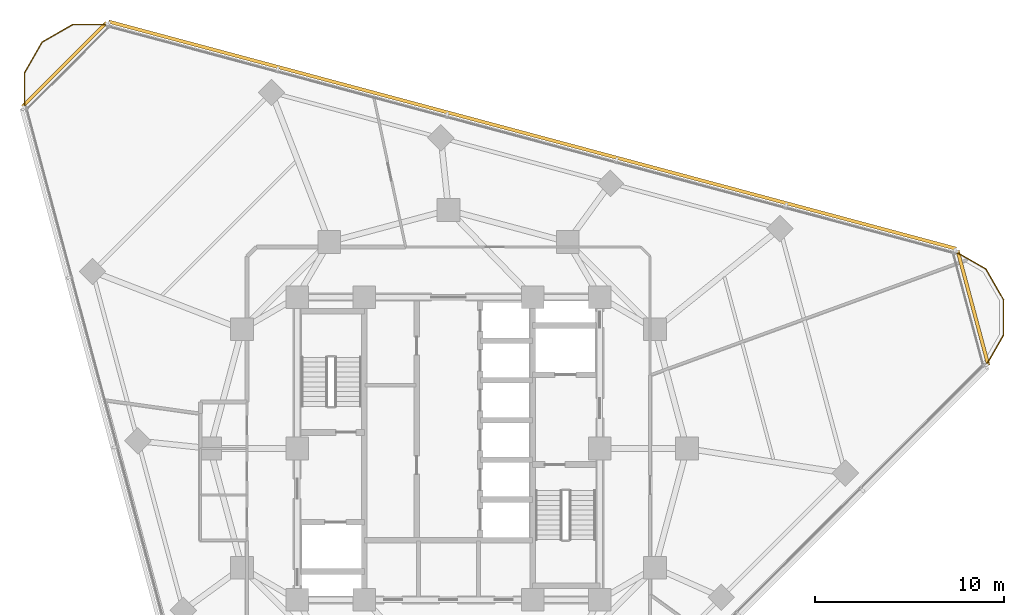
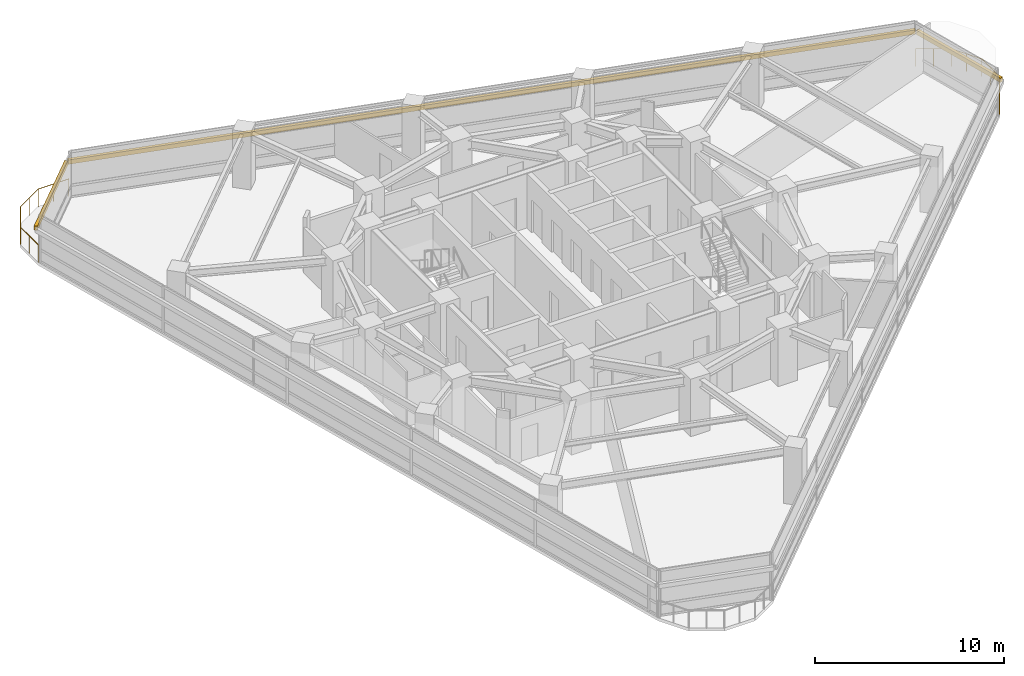
# One storey, part 13 of 13: 3 shading devices, 2 railings.
"""IFC4 building model written with IfcOpenShell, lengths in metres."""

from ifc_helpers import new_model, si_unit, direction, frame, origin, origin_2d, place, context, subcontext, project, spatial, rectangle, circle, extrude, material, layer, layer_set, type_object, element, save


model = new_model("IFC4")

# Units and contexts
model_context = context("Model", 3, precision=1e-05, world=origin(), true_north=direction((0.0, 1.0)))
body_context = subcontext(model_context, "Body", "Model", "MODEL_VIEW")
ifc_project = project(units=[si_unit("LENGTHUNIT", "METRE"), si_unit("AREAUNIT", "SQUARE_METRE"), si_unit("VOLUMEUNIT", "CUBIC_METRE"), si_unit("PLANEANGLEUNIT", "RADIAN"), si_unit("MASSUNIT", "GRAM", prefix="KILO")], contexts=[model_context])

# Site, building, storey
site_placement = place(None, origin())
site = spatial("IfcSite", under=ifc_project, at=site_placement, CompositionType="ELEMENT")
building_placement = place(site_placement, origin())
building = spatial("IfcBuilding", under=site, at=building_placement, Name="Terralouvre Media Tower", CompositionType="ELEMENT")
storey_placement = place(building_placement, frame((0.0, 0.0, 202.699951171875)))
storey = spatial("IfcBuildingStorey", under=building, at=storey_placement, Name="L52", CompositionType="ELEMENT", Elevation=202.699951171875)

# Railings
ifc_material_1 = material(Name="Stainless steel 316 handrail and balustrade", Category="steel")
ifc_layer = layer(ifc_material_1, 0.06005859375, Name="Roof Edge Safety Guardrail GR-ROOF1")
ifc_layer_set = layer_set([ifc_layer], Name="Stainless steel 316 handrail and balustrade")
railing_type = type_object("IfcRailingType", Name="Roof Edge Safety Guardrail GR-ROOF1", PredefinedType="GUARDRAIL", material=ifc_layer_set)
railing_1_placement = place(storey_placement, frame((28.39892578125, 4.365478515625, 0.0)))
element("IfcRailing", 1, at=railing_1_placement, inside=storey, type_object=railing_type, Name="L52 Wind-Corner Perimeter Safety Guardrail C1", PredefinedType="GUARDRAIL", context=body_context, shape_type="SweptSolid", body=[
    extrude(circle(Radius=0.02099609375, at=origin_2d()), frame((0.0, 0.0, 1.12890625), z_axis=(0.500203770141, 0.86590772507, 0.0), x_axis=(-0.86590772507, 0.500203770141, 0.0)), (0.0, 0.0, 1.0), 1.873291015625),
    extrude(circle(Radius=0.02099609375, at=origin_2d()), frame((0.93701171875, 1.6220703125, 1.12890625), z_axis=(0.000130344107, 0.999999991505, 0.0), x_axis=(-0.999999991505, 0.000130344107, 0.0)), (0.0, 0.0, 1.0), 1.873046875),
    extrude(circle(Radius=0.02099609375, at=origin_2d()), frame((0.937255859375, 3.4951171875, 1.12890625), z_axis=(-0.500162491388, 0.86593156901, 0.0), x_axis=(-0.86593156901, -0.500162491388, 0.0)), (0.0, 0.0, 1.0), 1.873046875),
    extrude(circle(Radius=0.02099609375, at=origin_2d()), frame((0.00048828125, 5.116943359375, 1.12890625), z_axis=(-0.866142189219, 0.499797667116, 0.0), x_axis=(-0.499797667116, -0.866142189219, 0.0)), (0.0, 0.0, 1.0), 1.873291015625),
    extrude(circle(Radius=0.01904296875, at=origin_2d()), origin(), (0.0, 0.0, 1.0), 1.10791015625),
    extrude(circle(Radius=0.01904296875, at=origin_2d()), frame((0.468505859375, 0.81103515625, 0.0)), (0.0, 0.0, 1.0), 1.10791015625),
    extrude(circle(Radius=0.01904296875, at=origin_2d()), frame((0.93701171875, 1.6220703125, 0.0)), (0.0, 0.0, 1.0), 1.10791015625),
    extrude(circle(Radius=0.01904296875, at=origin_2d()), frame((0.93701171875, 2.55859375, 0.0)), (0.0, 0.0, 1.0), 1.10791015625),
    extrude(circle(Radius=0.01904296875, at=origin_2d()), frame((0.937255859375, 3.4951171875, 0.0)), (0.0, 0.0, 1.0), 1.10791015625),
    extrude(circle(Radius=0.01904296875, at=origin_2d()), frame((0.46875, 4.30615234375, 0.0)), (0.0, 0.0, 1.0), 1.10791015625),
    extrude(circle(Radius=0.01904296875, at=origin_2d()), frame((0.00048828125, 5.116943359375, 0.0)), (0.0, 0.0, 1.0), 1.10791015625),
    extrude(circle(Radius=0.01904296875, at=origin_2d()), frame((-0.810791015625, 5.5849609375, 0.0)), (0.0, 0.0, 1.0), 1.10791015625),
    extrude(circle(Radius=0.01904296875, at=origin_2d()), frame((-1.6220703125, 6.05322265625, 0.0)), (0.0, 0.0, 1.0), 1.10791015625),
])
railing_2_placement = place(storey_placement, frame((-17.97998046875, 22.411376953125, 0.0)))
element("IfcRailing", 2, at=railing_2_placement, inside=storey, type_object=railing_type, Name="L52 Wind-Corner Perimeter Safety Guardrail C2", PredefinedType="GUARDRAIL", context=body_context, shape_type="SweptSolid", body=[
    extrude(circle(Radius=0.02099609375, at=origin_2d()), frame((0.0, 0.0, 1.12890625), z_axis=(-0.99999996603, 0.000260654233, 0.0), x_axis=(-0.000260654233, -0.99999996603, 0.0)), (0.0, 0.0, 1.0), 1.873291015625),
    extrude(circle(Radius=0.02099609375, at=origin_2d()), frame((-1.873291015625, 0.00048828125, 1.12890625), z_axis=(-0.866109628736, -0.499854089722, 0.0), x_axis=(0.499854089722, -0.866109628736, 0.0)), (0.0, 0.0, 1.0), 1.873046875),
    extrude(circle(Radius=0.02099609375, at=origin_2d()), frame((-3.49560546875, -0.935791015625, 1.12890625), z_axis=(-0.499854089722, -0.866109628736, 0.0), x_axis=(0.866109628736, -0.499854089722, 0.0)), (0.0, 0.0, 1.0), 1.873046875),
    extrude(circle(Radius=0.02099609375, at=origin_2d()), frame((-4.431884765625, -2.55810546875, 1.12890625), z_axis=(0.000260654233, -0.99999996603, 0.0), x_axis=(0.99999996603, 0.000260654233, 0.0)), (0.0, 0.0, 1.0), 1.873291015625),
    extrude(circle(Radius=0.01904296875, at=origin_2d()), origin(), (0.0, 0.0, 1.0), 1.10791015625),
    extrude(circle(Radius=0.01904296875, at=origin_2d()), frame((-0.9365234375, 0.000244140625, 0.0)), (0.0, 0.0, 1.0), 1.10791015625),
    extrude(circle(Radius=0.01904296875, at=origin_2d()), frame((-1.873291015625, 0.00048828125, 0.0)), (0.0, 0.0, 1.0), 1.10791015625),
    extrude(circle(Radius=0.01904296875, at=origin_2d()), frame((-2.6845703125, -0.4677734375, 0.0)), (0.0, 0.0, 1.0), 1.10791015625),
    extrude(circle(Radius=0.01904296875, at=origin_2d()), frame((-3.49560546875, -0.935791015625, 0.0)), (0.0, 0.0, 1.0), 1.10791015625),
    extrude(circle(Radius=0.01904296875, at=origin_2d()), frame((-3.9638671875, -1.7470703125, 0.0)), (0.0, 0.0, 1.0), 1.10791015625),
    extrude(circle(Radius=0.01904296875, at=origin_2d()), frame((-4.431884765625, -2.55810546875, 0.0)), (0.0, 0.0, 1.0), 1.10791015625),
    extrude(circle(Radius=0.01904296875, at=origin_2d()), frame((-4.431640625, -3.49462890625, 0.0)), (0.0, 0.0, 1.0), 1.10791015625),
    extrude(circle(Radius=0.01904296875, at=origin_2d()), frame((-4.431396484375, -4.431396484375, 0.0)), (0.0, 0.0, 1.0), 1.10791015625),
])

# Shading devices
ifc_material_2 = material(Name="Extruded terracotta baguette sunshade louvres", Category="masonry")
shading_device_type = type_object("IfcShadingDeviceType", Name="Terracotta Baguette Sunshade Louvre Screen TB-LV1", PredefinedType="USERDEFINED", material=ifc_material_2)
shading_device_placement = place(storey_placement, frame((4.43701171875, 16.558837890625, 2.02392578125), z_axis=(0.0, 0.0, 1.0), x_axis=(-0.96592582942, 0.25881903342, 0.0)))
element("IfcShadingDevice", 3, at=shading_device_placement, inside=storey, type_object=shading_device_type, Name="CW-L52-F1 Terracotta Baguette Sunshade Louvre", ObjectType="BAGUETTE", PredefinedType="USERDEFINED", context=body_context, shape_type="SweptSolid", body=[
    extrude(rectangle(XDim=46.360107421875, YDim=0.179931640625, at=origin_2d()), origin(), (0.0, 0.0, 1.0), 0.280029296875),
])
for number, where, z_axis, x_axis, name in (
    (4, (27.71826171875, 7.427001953125, 2.02392578125), (0.0, 0.0, 1.0), (-0.258818728144, 0.965925911218, 0.0), "CW-L52-C1 Terracotta Baguette Sunshade Louvre"),
    (5, (-20.291015625, 20.291015625, 2.02392578125), (0.0, 0.0, 1.0), (-0.707106781187, -0.707106781187, 0.0), "CW-L52-C2 Terracotta Baguette Sunshade Louvre"),
):
    element("IfcShadingDevice", number, at=place(storey_placement, frame(where, z_axis=z_axis, x_axis=x_axis)), inside=storey, type_object=shading_device_type, Name=name, ObjectType="BAGUETTE", PredefinedType="USERDEFINED", context=body_context, shape_type="SweptSolid", body=[
        extrude(rectangle(XDim=6.27001953125, YDim=0.179931640625, at=origin_2d()), origin(), (0.0, 0.0, 1.0), 0.280029296875),
    ])

save(model, "model.ifc")
